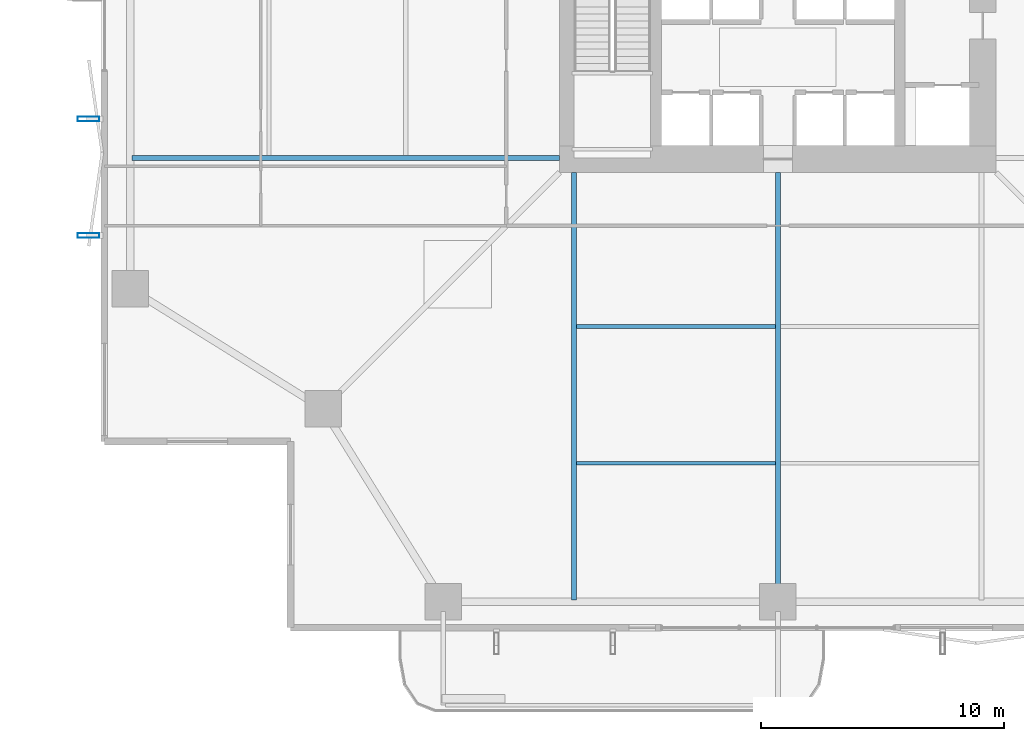
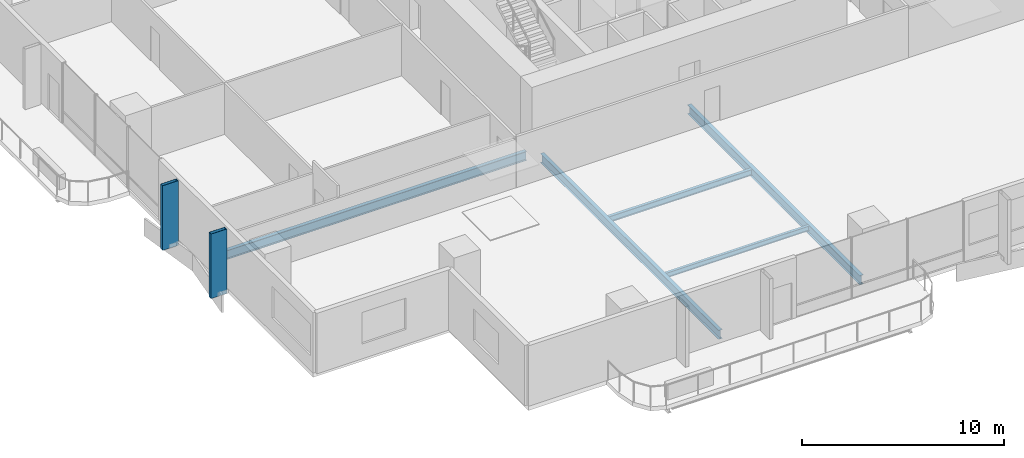
# One storey, part 3 of 23: 5 beams, 2 members.
"""IFC4 building model written with IfcOpenShell, lengths in metres."""

from ifc_helpers import new_model, si_unit, direction, frame, origin, origin_2d, place, context, subcontext, project, spatial, hollow_rectangle, i_section, extrude, material, material_profile, profile_set, type_object, element, save


model = new_model("IFC4")

# Units and contexts
model_context = context("Model", 3, precision=1e-05, world=origin(), true_north=direction((0.0, 1.0)))
body_context = subcontext(model_context, "Body", "Model", "MODEL_VIEW")
ifc_project = project(units=[si_unit("LENGTHUNIT", "METRE"), si_unit("AREAUNIT", "SQUARE_METRE"), si_unit("VOLUMEUNIT", "CUBIC_METRE"), si_unit("PLANEANGLEUNIT", "RADIAN"), si_unit("MASSUNIT", "GRAM", prefix="KILO")], contexts=[model_context])

# Site, building, storey
site_placement = place(None, origin())
site = spatial("IfcSite", under=ifc_project, at=site_placement, CompositionType="ELEMENT")
building_placement = place(site_placement, origin())
building = spatial("IfcBuilding", under=site, at=building_placement, Name="Belovzor Exchange Tower", CompositionType="ELEMENT")
storey_placement = place(building_placement, frame((0.0, 0.0, 100.199951171875)))
storey = spatial("IfcBuildingStorey", under=building, at=storey_placement, Name="L24", CompositionType="ELEMENT", Elevation=100.199951171875)

# Beams
ifc_material_1 = material(Name="Steel S355", Category="steel")
ifc_material_profile_1 = material_profile(ifc_material_1, i_section(OverallWidth=0.169921875, OverallDepth=0.360107421875, WebThickness=0.008056640625, FlangeThickness=0.0126953125, at=origin_2d()))
ifc_profile_set_1 = profile_set([ifc_material_profile_1], Name="Steel S355")
beam_type_1 = type_object("IfcBeamType", Name="Secondary Infill Floor Joist IPE 360", PredefinedType="BEAM", material=ifc_profile_set_1)
beam_1_placement = place(storey_placement, frame((20.5048828125, 13.455078125, -0.429931640625), z_axis=(1.0, 0.0, 0.0), x_axis=(0.0, 1.0, 0.0)))
element("IfcBeam", 1, at=beam_1_placement, inside=storey, type_object=beam_type_1, Name="FJ-360 Secondary Infill Floor Joist IPE 360", PredefinedType="BEAM", context=body_context, shape_type="SweptSolid", body=[
    extrude(i_section(OverallWidth=0.169921875, OverallDepth=0.360107421875, WebThickness=0.008056640625, FlangeThickness=0.0126953125, at=origin_2d()), origin(), (0.0, 0.0, 1.0), 8.190185546875),
])
ifc_material_2 = material(Name="Steel S355", Category="steel")
ifc_material_profile_2 = material_profile(ifc_material_2, i_section(OverallWidth=0.14990234375, OverallDepth=0.300048828125, WebThickness=0.007080078125, FlangeThickness=0.0107421875, at=origin_2d()))
ifc_profile_set_2 = profile_set([ifc_material_profile_2], Name="Steel S355")
beam_type_2 = type_object("IfcBeamType", Name="Secondary Trim Floor Joist IPE 300", PredefinedType="BEAM", material=ifc_profile_set_2)
beam_2_placement = place(storey_placement, frame((20.5048828125, 7.81494140625, -0.39990234375), z_axis=(1.0, 0.0, 0.0), x_axis=(0.0, 1.0, 0.0)))
element("IfcBeam", 2, at=beam_2_placement, inside=storey, type_object=beam_type_2, Name="FJ-300 Secondary Trim Floor Joist IPE 300", PredefinedType="BEAM", context=body_context, shape_type="SweptSolid", body=[
    extrude(i_section(OverallWidth=0.14990234375, OverallDepth=0.300048828125, WebThickness=0.007080078125, FlangeThickness=0.0107421875, at=origin_2d()), origin(), (0.0, 0.0, 1.0), 8.190185546875),
])

# Members
ifc_material_3 = material(Name="Extruded Architectural Terracotta on Steel S355 Carrier", Category="masonry")
ifc_material_profile_3 = material_profile(ifc_material_3, hollow_rectangle(XDim=0.199951171875, YDim=0.89990234375, WallThickness=0.011962890625, at=origin_2d()))
ifc_profile_set_3 = profile_set([ifc_material_profile_3], Name="Extruded Architectural Terracotta on Steel S355 Carrier")
member_type = type_object("IfcMemberType", Name="Sweeping Terracotta Baguette Fin Assembly 1250", PredefinedType="USERDEFINED", material=ifc_profile_set_3)
for number, where, z_axis, x_axis, name in (
    (3, (0.375, 17.199951171875, -0.25), (0.0, 0.0, 1.0), (0.0, 1.0, 0.0), "FIN-TC125 Terracotta Facade Fin L24 W1"),
    (4, (0.375, 22.0, -0.25), (0.0, 0.0, 1.0), (0.0, 1.0, 0.0), "FIN-TC125 Terracotta Facade Fin L24 W2"),
):
    element("IfcMember", number, at=place(storey_placement, frame(where, z_axis=z_axis, x_axis=x_axis)), inside=storey, type_object=member_type, Name=name, ObjectType="FIN", PredefinedType="USERDEFINED", context=body_context, shape_type="SweptSolid", body=[
        extrude(hollow_rectangle(XDim=0.199951171875, YDim=0.89990234375, WallThickness=0.011962890625, at=origin_2d()), origin(), (0.0, 0.0, 1.0), 3.900146484375),
    ])

# Beams
ifc_material_4 = material(Name="Steel S355", Category="steel")
ifc_material_profile_4 = material_profile(ifc_material_4, i_section(OverallWidth=0.2099609375, OverallDepth=0.550048828125, WebThickness=0.010986328125, FlangeThickness=0.01708984375, at=origin_2d()))
ifc_profile_set_4 = profile_set([ifc_material_profile_4], Name="Steel S355")
beam_type_3 = type_object("IfcBeamType", Name="Zone 1 Radial Composite Floor Beam IPE 550", PredefinedType="BEAM", material=ifc_profile_set_4)
beam_3_placement = place(storey_placement, frame((20.39990234375, 19.800048828125, -0.52490234375), z_axis=(0.0, -1.0, 0.0), x_axis=(1.0, 0.0, 0.0)))
element("IfcBeam", 5, at=beam_3_placement, inside=storey, type_object=beam_type_3, Name="FB-550 Zone 1 Radial Composite Floor Beam IPE 550", PredefinedType="BEAM", context=body_context, shape_type="SweptSolid", body=[
    extrude(i_section(OverallWidth=0.2099609375, OverallDepth=0.550048828125, WebThickness=0.010986328125, FlangeThickness=0.01708984375, at=origin_2d()), origin(), (0.0, 0.0, 1.0), 17.625),
])
beam_4_placement = place(storey_placement, frame((28.800048828125, 19.800048828125, -0.52490234375), z_axis=(0.0, -1.0, 0.0), x_axis=(1.0, 0.0, 0.0)))
element("IfcBeam", 6, at=beam_4_placement, inside=storey, type_object=beam_type_3, Name="FB-550 Zone 1 Radial Composite Floor Beam IPE 550", PredefinedType="BEAM", context=body_context, shape_type="SweptSolid", body=[
    extrude(i_section(OverallWidth=0.2099609375, OverallDepth=0.550048828125, WebThickness=0.010986328125, FlangeThickness=0.01708984375, at=origin_2d()), origin(), (0.0, 0.0, 1.0), 17.0400390625),
])
beam_5_placement = place(storey_placement, frame((19.800048828125, 20.39990234375, -0.52490234375), z_axis=(-1.0, 0.0, 0.0), x_axis=(0.0, -1.0, 0.0)))
element("IfcBeam", 7, at=beam_5_placement, inside=storey, type_object=beam_type_3, Name="FB-550 Zone 1 Radial Composite Floor Beam IPE 550", PredefinedType="BEAM", context=body_context, shape_type="SweptSolid", body=[
    extrude(i_section(OverallWidth=0.2099609375, OverallDepth=0.550048828125, WebThickness=0.010986328125, FlangeThickness=0.01708984375, at=origin_2d()), origin(), (0.0, 0.0, 1.0), 17.625),
])

save(model, "model.ifc")
